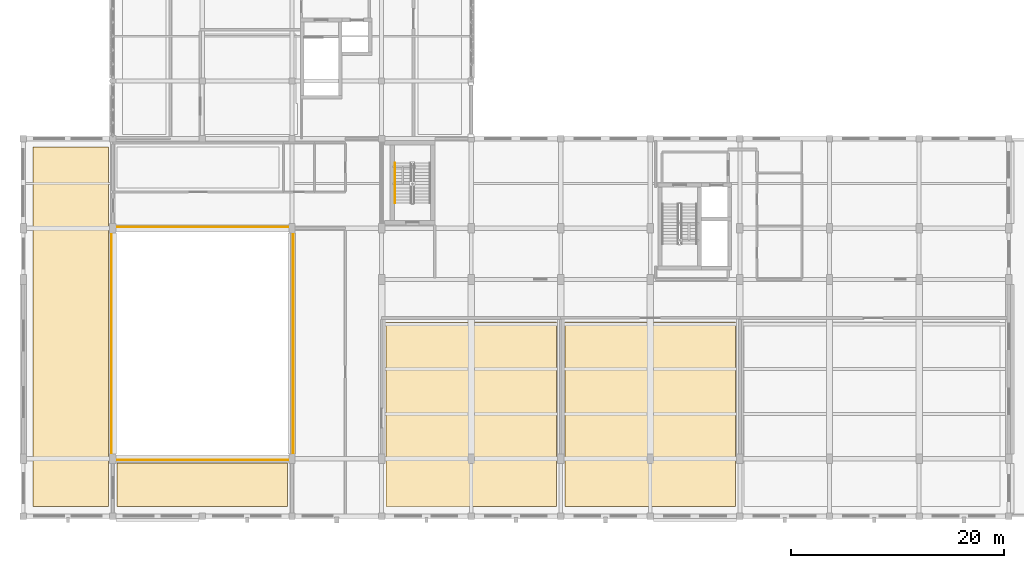
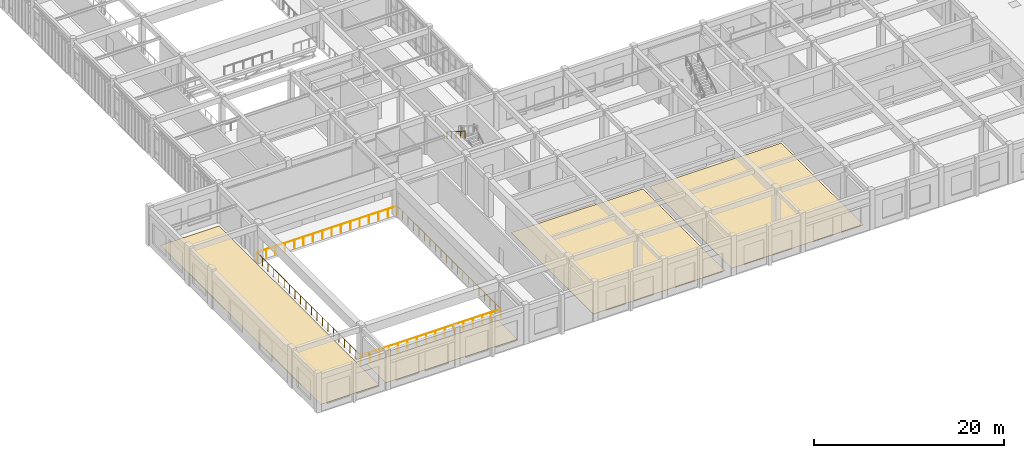
# One storey, part 70 of 77: 5 railings, 4 coverings.
"""IFC4 building model written with IfcOpenShell, lengths in metres."""

from ifc_helpers import new_model, si_unit, direction, frame, origin, origin_2d, place, context, subcontext, project, spatial, polyline, circle, outline, extrude, material, layer, layer_set, type_object, element, save


model = new_model("IFC4")

# Units and contexts
model_context = context("Model", 3, precision=1e-05, world=origin(), true_north=direction((0.0, 1.0)))
body_context = subcontext(model_context, "Body", "Model", "MODEL_VIEW")
ifc_project = project(units=[si_unit("LENGTHUNIT", "METRE"), si_unit("AREAUNIT", "SQUARE_METRE"), si_unit("VOLUMEUNIT", "CUBIC_METRE"), si_unit("PLANEANGLEUNIT", "RADIAN"), si_unit("MASSUNIT", "GRAM", prefix="KILO")], contexts=[model_context])

# Site, building, storey
site_placement = place(None, origin())
site = spatial("IfcSite", under=ifc_project, at=site_placement, CompositionType="ELEMENT")
building_placement = place(site_placement, origin())
building = spatial("IfcBuilding", under=site, at=building_placement, Name="Krzemoval Escarpment Law Courts", CompositionType="ELEMENT")
storey_placement = place(building_placement, frame((0.0, 0.0, 15.300048828125)))
storey = spatial("IfcBuildingStorey", under=building, at=storey_placement, Name="L03", CompositionType="ELEMENT", Elevation=15.300048828125)

# Coverings
ifc_material_1 = material(Name="Honed Silesian Granite Stone Flooring", Category="masonry")
ifc_layer = layer(ifc_material_1, 0.030029296875)
ifc_layer_set = layer_set([ifc_layer], Name="Honed Silesian Granite Stone Flooring")
covering_type = type_object("IfcCoveringType", Name="COV-FLR-STN30", PredefinedType="FLOORING", material=ifc_layer_set)
covering_1_placement = place(storey_placement, origin())
element("IfcCovering", 1, at=covering_1_placement, inside=storey, type_object=covering_type, Name="Stone Floor Finish FLR-L03-31", PredefinedType="FLOORING", context=body_context, shape_type="SweptSolid", body=[
    extrude(outline(polyline([(0.89990234375, 0.89990234375), (0.89990234375, 34.60009765625), (8.0, 34.60009765625), (8.0, 0.89990234375), (0.89990234375, 0.89990234375)])), origin(), (0.0, 0.0, 1.0), 0.030029296875),
])
covering_2_placement = place(storey_placement, origin())
element("IfcCovering", 2, at=covering_2_placement, inside=storey, type_object=covering_type, Name="Stone Floor Finish FLR-L03-32", PredefinedType="FLOORING", context=body_context, shape_type="SweptSolid", body=[
    extrude(outline(polyline([(8.800048828125, 0.89990234375), (8.800048828125, 5.0), (24.800048828125, 5.0), (24.800048828125, 0.89990234375), (8.800048828125, 0.89990234375)])), origin(), (0.0, 0.0, 1.0), 0.030029296875),
])
covering_3_placement = place(storey_placement, origin())
element("IfcCovering", 3, at=covering_3_placement, inside=storey, type_object=covering_type, Name="Stone Floor Finish FLR-L03-34", PredefinedType="FLOORING", context=body_context, shape_type="SweptSolid", body=[
    extrude(outline(polyline([(34.0, 0.89990234375), (34.0, 18.199951171875), (50.0, 18.199951171875), (50.0, 0.89990234375), (34.0, 0.89990234375)])), origin(), (0.0, 0.0, 1.0), 0.030029296875),
])
covering_4_placement = place(storey_placement, origin())
element("IfcCovering", 4, at=covering_4_placement, inside=storey, type_object=covering_type, Name="Stone Floor Finish FLR-L03-35", PredefinedType="FLOORING", context=body_context, shape_type="SweptSolid", body=[
    extrude(outline(polyline([(50.800048828125, 0.89990234375), (50.800048828125, 18.199951171875), (66.800048828125, 18.199951171875), (66.800048828125, 0.89990234375), (50.800048828125, 0.89990234375)])), origin(), (0.0, 0.0, 1.0), 0.030029296875),
])

# Railings
ifc_material_2 = material(Name="Stainless Steel Grade 316L and Laminated Safety Glass Guard", Category="steel")
railing_type_1 = type_object("IfcRailingType", Name="RL-BAL-1100", PredefinedType="BALUSTRADE", material=ifc_material_2)
railing_1_placement = place(storey_placement, frame((8.280029296875, 5.280029296875, 0.0)))
element("IfcRailing", 5, at=railing_1_placement, inside=storey, type_object=railing_type_1, Name="Atrium Void Balustrade VG-L03-076", PredefinedType="BALUSTRADE", context=body_context, shape_type="SweptSolid", body=[
    extrude(circle(Radius=0.02392578125, at=origin_2d()), frame((0.0, 0.0, 1.076171875), z_axis=(1.0, 0.0, 0.0), x_axis=(0.0, 1.0, 0.0)), (0.0, 0.0, 1.0), 17.0400390625),
    extrude(circle(Radius=0.02099609375, at=origin_2d()), origin(), (0.0, 0.0, 1.0), 1.052001953125),
    extrude(circle(Radius=0.02099609375, at=origin_2d()), frame((1.135986328125, 0.0, 0.0)), (0.0, 0.0, 1.0), 1.052001953125),
    extrude(circle(Radius=0.02099609375, at=origin_2d()), frame((2.27197265625, 0.0, 0.0)), (0.0, 0.0, 1.0), 1.052001953125),
    extrude(circle(Radius=0.02099609375, at=origin_2d()), frame((3.407958984375, 0.0, 0.0)), (0.0, 0.0, 1.0), 1.052001953125),
    extrude(circle(Radius=0.02099609375, at=origin_2d()), frame((4.5439453125, 0.0, 0.0)), (0.0, 0.0, 1.0), 1.052001953125),
    extrude(circle(Radius=0.02099609375, at=origin_2d()), frame((5.679931640625, 0.0, 0.0)), (0.0, 0.0, 1.0), 1.052001953125),
    extrude(circle(Radius=0.02099609375, at=origin_2d()), frame((6.81591796875, 0.0, 0.0)), (0.0, 0.0, 1.0), 1.052001953125),
    extrude(circle(Radius=0.02099609375, at=origin_2d()), frame((7.951904296875, 0.0, 0.0)), (0.0, 0.0, 1.0), 1.052001953125),
    extrude(circle(Radius=0.02099609375, at=origin_2d()), frame((9.088134765625, 0.0, 0.0)), (0.0, 0.0, 1.0), 1.052001953125),
    extrude(circle(Radius=0.02099609375, at=origin_2d()), frame((10.22412109375, 0.0, 0.0)), (0.0, 0.0, 1.0), 1.052001953125),
    extrude(circle(Radius=0.02099609375, at=origin_2d()), frame((11.360107421875, 0.0, 0.0)), (0.0, 0.0, 1.0), 1.052001953125),
    extrude(circle(Radius=0.02099609375, at=origin_2d()), frame((12.49609375, 0.0, 0.0)), (0.0, 0.0, 1.0), 1.052001953125),
    extrude(circle(Radius=0.02099609375, at=origin_2d()), frame((13.632080078125, 0.0, 0.0)), (0.0, 0.0, 1.0), 1.052001953125),
    extrude(circle(Radius=0.02099609375, at=origin_2d()), frame((14.76806640625, 0.0, 0.0)), (0.0, 0.0, 1.0), 1.052001953125),
    extrude(circle(Radius=0.02099609375, at=origin_2d()), frame((15.904052734375, 0.0, 0.0)), (0.0, 0.0, 1.0), 1.052001953125),
    extrude(circle(Radius=0.02099609375, at=origin_2d()), frame((17.0400390625, 0.0, 0.0)), (0.0, 0.0, 1.0), 1.052001953125),
])
railing_2_placement = place(storey_placement, frame((25.320068359375, 5.280029296875, 0.0)))
element("IfcRailing", 6, at=railing_2_placement, inside=storey, type_object=railing_type_1, Name="Atrium Void Balustrade VG-L03-077", PredefinedType="BALUSTRADE", context=body_context, shape_type="SweptSolid", body=[
    extrude(circle(Radius=0.02392578125, at=origin_2d()), frame((0.0, 0.0, 1.076171875), z_axis=(0.0, 1.0, 0.0), x_axis=(-1.0, 0.0, 0.0)), (0.0, 0.0, 1.0), 21.840087890625),
    extrude(circle(Radius=0.02099609375, at=origin_2d()), origin(), (0.0, 0.0, 1.0), 1.052001953125),
    extrude(circle(Radius=0.02099609375, at=origin_2d()), frame((0.0, 1.1494140625, 0.0)), (0.0, 0.0, 1.0), 1.052001953125),
    extrude(circle(Radius=0.02099609375, at=origin_2d()), frame((0.0, 2.299072265625, 0.0)), (0.0, 0.0, 1.0), 1.052001953125),
    extrude(circle(Radius=0.02099609375, at=origin_2d()), frame((0.0, 3.448486328125, 0.0)), (0.0, 0.0, 1.0), 1.052001953125),
    extrude(circle(Radius=0.02099609375, at=origin_2d()), frame((0.0, 4.597900390625, 0.0)), (0.0, 0.0, 1.0), 1.052001953125),
    extrude(circle(Radius=0.02099609375, at=origin_2d()), frame((0.0, 5.747314453125, 0.0)), (0.0, 0.0, 1.0), 1.052001953125),
    extrude(circle(Radius=0.02099609375, at=origin_2d()), frame((0.0, 6.89697265625, 0.0)), (0.0, 0.0, 1.0), 1.052001953125),
    extrude(circle(Radius=0.02099609375, at=origin_2d()), frame((0.0, 8.04638671875, 0.0)), (0.0, 0.0, 1.0), 1.052001953125),
    extrude(circle(Radius=0.02099609375, at=origin_2d()), frame((0.0, 9.19580078125, 0.0)), (0.0, 0.0, 1.0), 1.052001953125),
    extrude(circle(Radius=0.02099609375, at=origin_2d()), frame((0.0, 10.34521484375, 0.0)), (0.0, 0.0, 1.0), 1.052001953125),
    extrude(circle(Radius=0.02099609375, at=origin_2d()), frame((0.0, 11.494873046875, 0.0)), (0.0, 0.0, 1.0), 1.052001953125),
    extrude(circle(Radius=0.02099609375, at=origin_2d()), frame((0.0, 12.644287109375, 0.0)), (0.0, 0.0, 1.0), 1.052001953125),
    extrude(circle(Radius=0.02099609375, at=origin_2d()), frame((0.0, 13.793701171875, 0.0)), (0.0, 0.0, 1.0), 1.052001953125),
    extrude(circle(Radius=0.02099609375, at=origin_2d()), frame((0.0, 14.943115234375, 0.0)), (0.0, 0.0, 1.0), 1.052001953125),
    extrude(circle(Radius=0.02099609375, at=origin_2d()), frame((0.0, 16.0927734375, 0.0)), (0.0, 0.0, 1.0), 1.052001953125),
    extrude(circle(Radius=0.02099609375, at=origin_2d()), frame((0.0, 17.2421875, 0.0)), (0.0, 0.0, 1.0), 1.052001953125),
    extrude(circle(Radius=0.02099609375, at=origin_2d()), frame((0.0, 18.3916015625, 0.0)), (0.0, 0.0, 1.0), 1.052001953125),
    extrude(circle(Radius=0.02099609375, at=origin_2d()), frame((0.0, 19.541015625, 0.0)), (0.0, 0.0, 1.0), 1.052001953125),
    extrude(circle(Radius=0.02099609375, at=origin_2d()), frame((0.0, 20.690673828125, 0.0)), (0.0, 0.0, 1.0), 1.052001953125),
    extrude(circle(Radius=0.02099609375, at=origin_2d()), frame((0.0, 21.840087890625, 0.0)), (0.0, 0.0, 1.0), 1.052001953125),
])
railing_3_placement = place(storey_placement, frame((25.320068359375, 27.1201171875, 0.0)))
element("IfcRailing", 7, at=railing_3_placement, inside=storey, type_object=railing_type_1, Name="Atrium Void Balustrade VG-L03-078", PredefinedType="BALUSTRADE", context=body_context, shape_type="SweptSolid", body=[
    extrude(circle(Radius=0.02392578125, at=origin_2d()), frame((0.0, 0.0, 1.076171875), z_axis=(-1.0, 0.0, 0.0), x_axis=(0.0, -1.0, 0.0)), (0.0, 0.0, 1.0), 17.0400390625),
    extrude(circle(Radius=0.02099609375, at=origin_2d()), origin(), (0.0, 0.0, 1.0), 1.052001953125),
    extrude(circle(Radius=0.02099609375, at=origin_2d()), frame((-1.135986328125, 0.0, 0.0)), (0.0, 0.0, 1.0), 1.052001953125),
    extrude(circle(Radius=0.02099609375, at=origin_2d()), frame((-2.27197265625, 0.0, 0.0)), (0.0, 0.0, 1.0), 1.052001953125),
    extrude(circle(Radius=0.02099609375, at=origin_2d()), frame((-3.407958984375, 0.0, 0.0)), (0.0, 0.0, 1.0), 1.052001953125),
    extrude(circle(Radius=0.02099609375, at=origin_2d()), frame((-4.5439453125, 0.0, 0.0)), (0.0, 0.0, 1.0), 1.052001953125),
    extrude(circle(Radius=0.02099609375, at=origin_2d()), frame((-5.679931640625, 0.0, 0.0)), (0.0, 0.0, 1.0), 1.052001953125),
    extrude(circle(Radius=0.02099609375, at=origin_2d()), frame((-6.81591796875, 0.0, 0.0)), (0.0, 0.0, 1.0), 1.052001953125),
    extrude(circle(Radius=0.02099609375, at=origin_2d()), frame((-7.951904296875, 0.0, 0.0)), (0.0, 0.0, 1.0), 1.052001953125),
    extrude(circle(Radius=0.02099609375, at=origin_2d()), frame((-9.088134765625, 0.0, 0.0)), (0.0, 0.0, 1.0), 1.052001953125),
    extrude(circle(Radius=0.02099609375, at=origin_2d()), frame((-10.22412109375, 0.0, 0.0)), (0.0, 0.0, 1.0), 1.052001953125),
    extrude(circle(Radius=0.02099609375, at=origin_2d()), frame((-11.360107421875, 0.0, 0.0)), (0.0, 0.0, 1.0), 1.052001953125),
    extrude(circle(Radius=0.02099609375, at=origin_2d()), frame((-12.49609375, 0.0, 0.0)), (0.0, 0.0, 1.0), 1.052001953125),
    extrude(circle(Radius=0.02099609375, at=origin_2d()), frame((-13.632080078125, 0.0, 0.0)), (0.0, 0.0, 1.0), 1.052001953125),
    extrude(circle(Radius=0.02099609375, at=origin_2d()), frame((-14.76806640625, 0.0, 0.0)), (0.0, 0.0, 1.0), 1.052001953125),
    extrude(circle(Radius=0.02099609375, at=origin_2d()), frame((-15.904052734375, 0.0, 0.0)), (0.0, 0.0, 1.0), 1.052001953125),
    extrude(circle(Radius=0.02099609375, at=origin_2d()), frame((-17.0400390625, 0.0, 0.0)), (0.0, 0.0, 1.0), 1.052001953125),
])
railing_4_placement = place(storey_placement, frame((8.280029296875, 27.1201171875, 0.0)))
element("IfcRailing", 8, at=railing_4_placement, inside=storey, type_object=railing_type_1, Name="Atrium Void Balustrade VG-L03-079", PredefinedType="BALUSTRADE", context=body_context, shape_type="SweptSolid", body=[
    extrude(circle(Radius=0.02392578125, at=origin_2d()), frame((0.0, 0.0, 1.076171875), z_axis=(0.0, -1.0, 0.0), x_axis=(1.0, 0.0, 0.0)), (0.0, 0.0, 1.0), 21.840087890625),
    extrude(circle(Radius=0.02099609375, at=origin_2d()), origin(), (0.0, 0.0, 1.0), 1.052001953125),
    extrude(circle(Radius=0.02099609375, at=origin_2d()), frame((0.0, -1.1494140625, 0.0)), (0.0, 0.0, 1.0), 1.052001953125),
    extrude(circle(Radius=0.02099609375, at=origin_2d()), frame((0.0, -2.299072265625, 0.0)), (0.0, 0.0, 1.0), 1.052001953125),
    extrude(circle(Radius=0.02099609375, at=origin_2d()), frame((0.0, -3.448486328125, 0.0)), (0.0, 0.0, 1.0), 1.052001953125),
    extrude(circle(Radius=0.02099609375, at=origin_2d()), frame((0.0, -4.597900390625, 0.0)), (0.0, 0.0, 1.0), 1.052001953125),
    extrude(circle(Radius=0.02099609375, at=origin_2d()), frame((0.0, -5.747314453125, 0.0)), (0.0, 0.0, 1.0), 1.052001953125),
    extrude(circle(Radius=0.02099609375, at=origin_2d()), frame((0.0, -6.89697265625, 0.0)), (0.0, 0.0, 1.0), 1.052001953125),
    extrude(circle(Radius=0.02099609375, at=origin_2d()), frame((0.0, -8.04638671875, 0.0)), (0.0, 0.0, 1.0), 1.052001953125),
    extrude(circle(Radius=0.02099609375, at=origin_2d()), frame((0.0, -9.19580078125, 0.0)), (0.0, 0.0, 1.0), 1.052001953125),
    extrude(circle(Radius=0.02099609375, at=origin_2d()), frame((0.0, -10.34521484375, 0.0)), (0.0, 0.0, 1.0), 1.052001953125),
    extrude(circle(Radius=0.02099609375, at=origin_2d()), frame((0.0, -11.494873046875, 0.0)), (0.0, 0.0, 1.0), 1.052001953125),
    extrude(circle(Radius=0.02099609375, at=origin_2d()), frame((0.0, -12.644287109375, 0.0)), (0.0, 0.0, 1.0), 1.052001953125),
    extrude(circle(Radius=0.02099609375, at=origin_2d()), frame((0.0, -13.793701171875, 0.0)), (0.0, 0.0, 1.0), 1.052001953125),
    extrude(circle(Radius=0.02099609375, at=origin_2d()), frame((0.0, -14.943115234375, 0.0)), (0.0, 0.0, 1.0), 1.052001953125),
    extrude(circle(Radius=0.02099609375, at=origin_2d()), frame((0.0, -16.0927734375, 0.0)), (0.0, 0.0, 1.0), 1.052001953125),
    extrude(circle(Radius=0.02099609375, at=origin_2d()), frame((0.0, -17.2421875, 0.0)), (0.0, 0.0, 1.0), 1.052001953125),
    extrude(circle(Radius=0.02099609375, at=origin_2d()), frame((0.0, -18.3916015625, 0.0)), (0.0, 0.0, 1.0), 1.052001953125),
    extrude(circle(Radius=0.02099609375, at=origin_2d()), frame((0.0, -19.541015625, 0.0)), (0.0, 0.0, 1.0), 1.052001953125),
    extrude(circle(Radius=0.02099609375, at=origin_2d()), frame((0.0, -20.690673828125, 0.0)), (0.0, 0.0, 1.0), 1.052001953125),
    extrude(circle(Radius=0.02099609375, at=origin_2d()), frame((0.0, -21.840087890625, 0.0)), (0.0, 0.0, 1.0), 1.052001953125),
])
ifc_material_3 = material(Name="Brushed Stainless Steel Grade 304 Handrail", Category="steel")
railing_type_2 = type_object("IfcRailingType", Name="RL-HND-900", PredefinedType="HANDRAIL", material=ifc_material_3)
railing_5_placement = place(storey_placement, frame((34.85009765625, 33.1201171875, 2.732177734375)))
element("IfcRailing", 9, at=railing_5_placement, inside=storey, type_object=railing_type_2, Name="L03 ST9 stair handrail 2", PredefinedType="HANDRAIL", context=body_context, shape_type="SweptSolid", body=[
    extrude(circle(Radius=0.02392578125, at=origin_2d()), frame((0.0, 0.0, 0.8759765625), z_axis=(0.0, -0.846844037257, 0.531841307688), x_axis=(1.0, 0.0, 0.0)), (0.0, 0.0, 1.0), 4.451904296875),
    extrude(circle(Radius=0.02099609375, at=origin_2d()), origin(), (0.0, 0.0, 1.0), 0.851806640625),
    extrude(circle(Radius=0.02099609375, at=origin_2d()), frame((0.0, -0.9423828125, 0.591796875)), (0.0, 0.0, 1.0), 0.851806640625),
    extrude(circle(Radius=0.02099609375, at=origin_2d()), frame((0.0, -1.885009765625, 1.183837890625)), (0.0, 0.0, 1.0), 0.851806640625),
    extrude(circle(Radius=0.02099609375, at=origin_2d()), frame((0.0, -2.82763671875, 1.77587890625)), (0.0, 0.0, 1.0), 0.851806640625),
    extrude(circle(Radius=0.02099609375, at=origin_2d()), frame((0.0, -3.77001953125, 2.36767578125)), (0.0, 0.0, 1.0), 0.851806640625),
])

save(model, "model.ifc")
